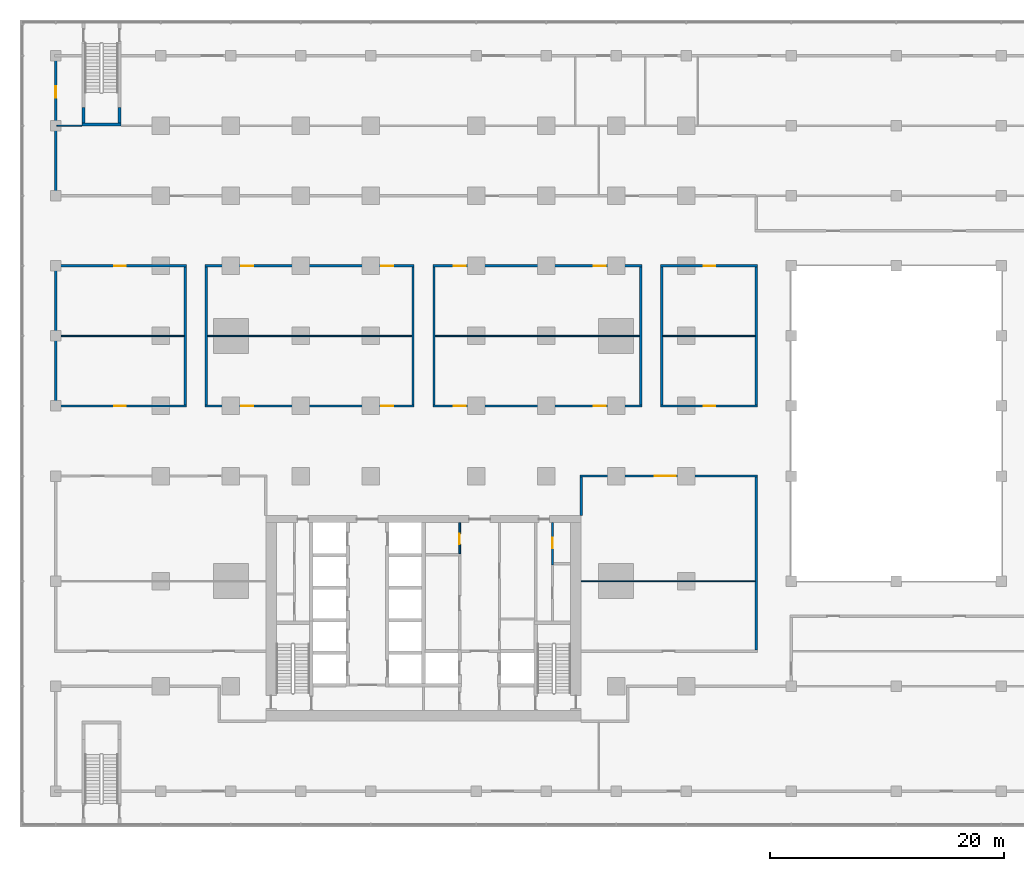
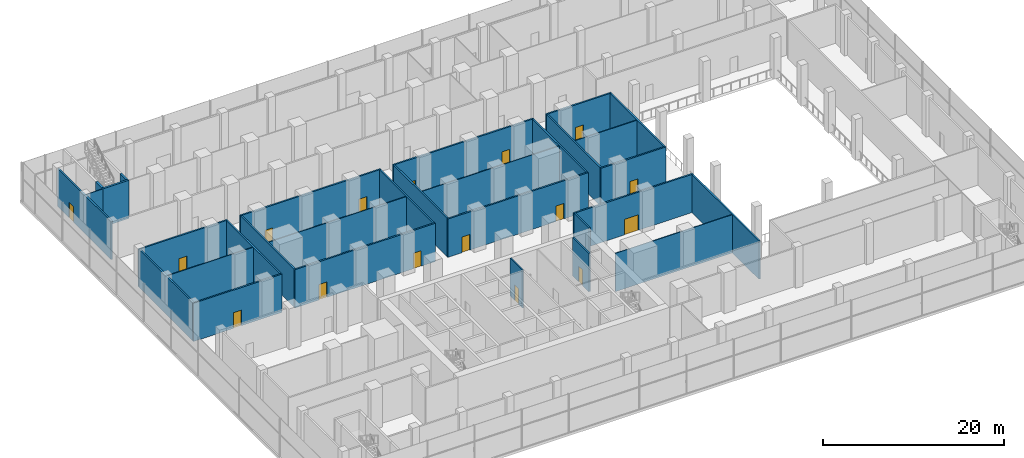
# One storey, part 15 of 22: 31 walls, 16 doors, 16 openings.
"""IFC4 building model written with IfcOpenShell, lengths in metres."""

from ifc_helpers import new_model, si_unit, direction, frame, frame_2d, origin, place, context, subcontext, project, spatial, rectangle, extrude, material, layer, layer_set, type_object, element, fill, save


model = new_model("IFC4")

# Units and contexts
model_context = context("Model", 3, precision=1e-05, world=origin(), true_north=direction((0.0, 1.0)))
body_context = subcontext(model_context, "Body", "Model", "MODEL_VIEW")
ifc_project = project(units=[si_unit("LENGTHUNIT", "METRE"), si_unit("AREAUNIT", "SQUARE_METRE"), si_unit("VOLUMEUNIT", "CUBIC_METRE"), si_unit("PLANEANGLEUNIT", "RADIAN"), si_unit("MASSUNIT", "GRAM", prefix="KILO")], contexts=[model_context])

# Site, building, storey
site_placement = place(None, origin())
site = spatial("IfcSite", under=ifc_project, at=site_placement, CompositionType="ELEMENT")
building_placement = place(site_placement, origin())
building = spatial("IfcBuilding", under=site, at=building_placement, Name="Finial Court Residences", CompositionType="ELEMENT")
storey_placement = place(building_placement, frame((0.0, 0.0, 8.0)))
storey = spatial("IfcBuildingStorey", under=building, at=storey_placement, Name="L01", CompositionType="ELEMENT", Elevation=8.0)

# Wall, opening, door
ifc_material_1 = material(Name="Fire-rated gypsum board partition")
ifc_layer_1 = layer(ifc_material_1, 0.14990234375)
ifc_layer_set_1 = layer_set([ifc_layer_1], Name="Core room partition 150 EI 60")
wall_type_1 = type_object("IfcWallType", Name="Core room partition 150 EI 60", PredefinedType="PARTITIONING", material=ifc_layer_set_1)
wall_1_placement = place(storey_placement, frame((3.10009765625, -11.14990234375, 0.0), z_axis=(0.0, 0.0, 1.0), x_axis=(0.0, 1.0, 0.0)))
wall_1 = element("IfcWall", 1, at=wall_1_placement, inside=storey, type_object=wall_type_1, Name="Core partition L01-33", PredefinedType="PARTITIONING", context=body_context, shape_type="SweptSolid", body=[
    extrude(rectangle(XDim=2.64990234375, YDim=0.14990234375, at=frame_2d((1.324951171875, 0.0))), origin(), (0.0, 0.0, 1.0), 5.14990234375),
])
opening_1_placement = place(wall_1_placement, frame((0.824951171875, 0.0, 0.0)))
opening_1 = element("IfcOpeningElement", 2, at=opening_1_placement, cuts=wall_1, Name="Opening L01-C14", PredefinedType="OPENING", context=body_context, shape_type="SweptSolid", body=[
    extrude(rectangle(XDim=0.89990234375, YDim=2.10009765625, at=frame_2d((0.449951171875, 1.050048828125))), frame((0.0, 0.0849609375, 0.0), z_axis=(0.0, -1.0, 0.0), x_axis=(1.0, 0.0, 0.0)), (0.0, 0.0, 1.0), 0.169921875),
])
ifc_material_2 = material(Name="Steel fire door", Category="steel")
door_type_1 = type_object("IfcDoorType", Name="Core room door 900 x 2100 EI 60", OperationType="NOTDEFINED", PredefinedType="DOOR", material=ifc_material_2)
door_1_placement = place(opening_1_placement, origin())
door_1 = element("IfcDoor", 3, at=door_1_placement, inside=storey, type_object=door_type_1, Name="Core room door L01-C14", OperationType="SINGLE_SWING_LEFT", OverallHeight=2.10009765625, OverallWidth=0.89990234375, PredefinedType="DOOR", context=body_context, shape_type="SweptSolid", body=[
    extrude(rectangle(XDim=0.89990234375, YDim=2.10009765625, at=frame_2d((0.449951171875, 1.050048828125))), frame((0.0, 0.02490234375, 0.0), z_axis=(0.0, -1.0, 0.0), x_axis=(1.0, 0.0, 0.0)), (0.0, 0.0, 1.0), 0.050048828125),
])
fill(opening_1, door_1)

ifc_material_3 = material(Name="Gypsum board")
ifc_layer_2 = layer(ifc_material_3, 0.02490234375)
ifc_material_4 = material(Name="Acoustic mineral wool in double frame")
ifc_layer_3 = layer(ifc_material_4, 0.14990234375)
ifc_layer_4 = layer(ifc_material_3, 0.02490234375)
ifc_layer_set_2 = layer_set([ifc_layer_2, ifc_layer_3, ifc_layer_4], Name="Corridor wall 200, 1 hour")
wall_type_2 = type_object("IfcWallType", Name="Corridor wall 200, 1 hour", PredefinedType="PARTITIONING", material=ifc_layer_set_2)
wall_2_placement = place(storey_placement, frame((13.39990234375, -4.5, 0.0), z_axis=(0.0, 0.0, 1.0), x_axis=(1.0, 0.0, 0.0)))
wall_2 = element("IfcWall", 4, at=wall_2_placement, inside=storey, type_object=wall_type_2, Name="Partition L01-016", PredefinedType="PARTITIONING", context=body_context, shape_type="SweptSolid", body=[
    extrude(rectangle(XDim=15.2001953125, YDim=0.199951171875, at=frame_2d((7.60009765625, 0.0))), origin(), (0.0, 0.0, 1.0), 5.14990234375),
])
opening_2_placement = place(wall_2_placement, frame((6.39990234375, 0.0, 0.0)))
opening_2 = element("IfcOpeningElement", 5, at=opening_2_placement, cuts=wall_2, Name="Opening L01-D012", PredefinedType="OPENING", context=body_context, shape_type="SweptSolid", body=[
    extrude(rectangle(XDim=1.800048828125, YDim=2.10009765625, at=frame_2d((0.89990234375, 1.050048828125))), frame((0.0, 0.10986328125, 0.0), z_axis=(0.0, -1.0, 0.0), x_axis=(1.0, 0.0, 0.0)), (0.0, 0.0, 1.0), 0.219970703125),
])
ifc_material_5 = material(Name="Timber door leaf in hollow metal frame", Category="wood")
door_type_2 = type_object("IfcDoorType", Name="Fire door set 1800 x 2100, 30 minutes", OperationType="DOUBLE_DOOR_SINGLE_SWING", PredefinedType="DOOR", material=ifc_material_5)
door_2_placement = place(opening_2_placement, origin())
door_2 = element("IfcDoor", 6, at=door_2_placement, inside=storey, type_object=door_type_2, Name="Door L01-D012", OperationType="DOUBLE_DOOR_SINGLE_SWING", OverallHeight=2.10009765625, OverallWidth=1.800048828125, PredefinedType="DOOR", context=body_context, shape_type="SweptSolid", body=[
    extrude(rectangle(XDim=1.800048828125, YDim=2.10009765625, at=frame_2d((0.89990234375, 1.050048828125))), frame((0.0, 0.02490234375, 0.0), z_axis=(0.0, -1.0, 0.0), x_axis=(1.0, 0.0, 0.0)), (0.0, 0.0, 1.0), 0.050048828125),
])
fill(opening_2, door_2)

wall_3_placement = place(storey_placement, frame((-31.60009765625, 1.5, 0.0), z_axis=(0.0, 0.0, 1.0), x_axis=(1.0, 0.0, 0.0)))
wall_3 = element("IfcWall", 7, at=wall_3_placement, inside=storey, type_object=wall_type_2, Name="Partition L01-018", PredefinedType="PARTITIONING", context=body_context, shape_type="SweptSolid", body=[
    extrude(rectangle(XDim=11.300048828125, YDim=0.199951171875, at=frame_2d((5.64990234375, 0.0))), origin(), (0.0, 0.0, 1.0), 5.14990234375),
])
opening_3_placement = place(wall_3_placement, frame((5.10009765625, 0.0, 0.0)))
opening_3 = element("IfcOpeningElement", 8, at=opening_3_placement, cuts=wall_3, Name="Opening L01-D013", PredefinedType="OPENING", context=body_context, shape_type="SweptSolid", body=[
    extrude(rectangle(XDim=1.0, YDim=2.10009765625, at=frame_2d((0.5, 1.050048828125))), frame((0.0, 0.10986328125, 0.0), z_axis=(0.0, -1.0, 0.0), x_axis=(1.0, 0.0, 0.0)), (0.0, 0.0, 1.0), 0.219970703125),
])
door_type_3 = type_object("IfcDoorType", Name="Fire door set 1000 x 2100, 30 minutes", OperationType="SINGLE_SWING_LEFT", PredefinedType="DOOR", material=ifc_material_5)
door_3_placement = place(opening_3_placement, origin())
door_3 = element("IfcDoor", 9, at=door_3_placement, inside=storey, type_object=door_type_3, Name="Door L01-D013", OperationType="SINGLE_SWING_RIGHT", OverallHeight=2.10009765625, OverallWidth=1.0, PredefinedType="DOOR", context=body_context, shape_type="SweptSolid", body=[
    extrude(rectangle(XDim=1.0, YDim=2.10009765625, at=frame_2d((0.5, 1.050048828125))), frame((0.0, 0.02490234375, 0.0), z_axis=(0.0, -1.0, 0.0), x_axis=(1.0, 0.0, 0.0)), (0.0, 0.0, 1.0), 0.050048828125),
])
fill(opening_3, door_3)

# Wall, openings, doors
wall_4_placement = place(storey_placement, frame((-18.699951171875, 1.5, 0.0), z_axis=(0.0, 0.0, 1.0), x_axis=(1.0, 0.0, 0.0)))
wall_4 = element("IfcWall", 10, at=wall_4_placement, inside=storey, type_object=wall_type_2, Name="Partition L01-019", PredefinedType="PARTITIONING", context=body_context, shape_type="SweptSolid", body=[
    extrude(rectangle(XDim=17.89990234375, YDim=0.199951171875, at=frame_2d((8.949951171875, 0.0))), origin(), (0.0, 0.0, 1.0), 5.14990234375),
])
opening_4_placement = place(wall_4_placement, frame((3.10009765625, 0.0, 0.0)))
opening_4 = element("IfcOpeningElement", 11, at=opening_4_placement, cuts=wall_4, Name="Opening L01-D014", PredefinedType="OPENING", context=body_context, shape_type="SweptSolid", body=[
    extrude(rectangle(XDim=1.0, YDim=2.10009765625, at=frame_2d((0.5, 1.050048828125))), frame((0.0, 0.10986328125, 0.0), z_axis=(0.0, -1.0, 0.0), x_axis=(1.0, 0.0, 0.0)), (0.0, 0.0, 1.0), 0.219970703125),
])
opening_5_placement = place(wall_4_placement, frame((15.10009765625, 0.0, 0.0)))
opening_5 = element("IfcOpeningElement", 12, at=opening_5_placement, cuts=wall_4, Name="Opening L01-D015", PredefinedType="OPENING", context=body_context, shape_type="SweptSolid", body=[
    extrude(rectangle(XDim=1.0, YDim=2.10009765625, at=frame_2d((0.5, 1.050048828125))), frame((0.0, 0.10986328125, 0.0), z_axis=(0.0, -1.0, 0.0), x_axis=(1.0, 0.0, 0.0)), (0.0, 0.0, 1.0), 0.219970703125),
])
door_4_placement = place(opening_4_placement, origin())
door_4 = element("IfcDoor", 13, at=door_4_placement, inside=storey, type_object=door_type_3, Name="Door L01-D014", OperationType="SINGLE_SWING_RIGHT", OverallHeight=2.10009765625, OverallWidth=1.0, PredefinedType="DOOR", context=body_context, shape_type="SweptSolid", body=[
    extrude(rectangle(XDim=1.0, YDim=2.10009765625, at=frame_2d((0.5, 1.050048828125))), frame((0.0, 0.02490234375, 0.0), z_axis=(0.0, -1.0, 0.0), x_axis=(1.0, 0.0, 0.0)), (0.0, 0.0, 1.0), 0.050048828125),
])
fill(opening_4, door_4)
door_5_placement = place(opening_5_placement, origin())
door_5 = element("IfcDoor", 14, at=door_5_placement, inside=storey, type_object=door_type_3, Name="Door L01-D015", OperationType="SINGLE_SWING_LEFT", OverallHeight=2.10009765625, OverallWidth=1.0, PredefinedType="DOOR", context=body_context, shape_type="SweptSolid", body=[
    extrude(rectangle(XDim=1.0, YDim=2.10009765625, at=frame_2d((0.5, 1.050048828125))), frame((0.0, 0.02490234375, 0.0), z_axis=(0.0, -1.0, 0.0), x_axis=(1.0, 0.0, 0.0)), (0.0, 0.0, 1.0), 0.050048828125),
])
fill(opening_5, door_5)

wall_5_placement = place(storey_placement, frame((0.800048828125, 1.5, 0.0), z_axis=(0.0, 0.0, 1.0), x_axis=(1.0, 0.0, 0.0)))
wall_5 = element("IfcWall", 15, at=wall_5_placement, inside=storey, type_object=wall_type_2, Name="Partition L01-020", PredefinedType="PARTITIONING", context=body_context, shape_type="SweptSolid", body=[
    extrude(rectangle(XDim=17.89990234375, YDim=0.199951171875, at=frame_2d((8.949951171875, 0.0))), origin(), (0.0, 0.0, 1.0), 5.14990234375),
])
opening_6_placement = place(wall_5_placement, frame((1.800048828125, 0.0, 0.0)))
opening_6 = element("IfcOpeningElement", 16, at=opening_6_placement, cuts=wall_5, Name="Opening L01-D016", PredefinedType="OPENING", context=body_context, shape_type="SweptSolid", body=[
    extrude(rectangle(XDim=1.0, YDim=2.10009765625, at=frame_2d((0.5, 1.050048828125))), frame((0.0, 0.10986328125, 0.0), z_axis=(0.0, -1.0, 0.0), x_axis=(1.0, 0.0, 0.0)), (0.0, 0.0, 1.0), 0.219970703125),
])
opening_7_placement = place(wall_5_placement, frame((13.800048828125, 0.0, 0.0)))
opening_7 = element("IfcOpeningElement", 17, at=opening_7_placement, cuts=wall_5, Name="Opening L01-D017", PredefinedType="OPENING", context=body_context, shape_type="SweptSolid", body=[
    extrude(rectangle(XDim=1.0, YDim=2.10009765625, at=frame_2d((0.5, 1.050048828125))), frame((0.0, 0.10986328125, 0.0), z_axis=(0.0, -1.0, 0.0), x_axis=(1.0, 0.0, 0.0)), (0.0, 0.0, 1.0), 0.219970703125),
])
door_6_placement = place(opening_6_placement, origin())
door_6 = element("IfcDoor", 18, at=door_6_placement, inside=storey, type_object=door_type_3, Name="Door L01-D016", OperationType="SINGLE_SWING_RIGHT", OverallHeight=2.10009765625, OverallWidth=1.0, PredefinedType="DOOR", context=body_context, shape_type="SweptSolid", body=[
    extrude(rectangle(XDim=1.0, YDim=2.10009765625, at=frame_2d((0.5, 1.050048828125))), frame((0.0, 0.02490234375, 0.0), z_axis=(0.0, -1.0, 0.0), x_axis=(1.0, 0.0, 0.0)), (0.0, 0.0, 1.0), 0.050048828125),
])
fill(opening_6, door_6)
door_7_placement = place(opening_7_placement, origin())
door_7 = element("IfcDoor", 19, at=door_7_placement, inside=storey, type_object=door_type_3, Name="Door L01-D017", OperationType="SINGLE_SWING_LEFT", OverallHeight=2.10009765625, OverallWidth=1.0, PredefinedType="DOOR", context=body_context, shape_type="SweptSolid", body=[
    extrude(rectangle(XDim=1.0, YDim=2.10009765625, at=frame_2d((0.5, 1.050048828125))), frame((0.0, 0.02490234375, 0.0), z_axis=(0.0, -1.0, 0.0), x_axis=(1.0, 0.0, 0.0)), (0.0, 0.0, 1.0), 0.050048828125),
])
fill(opening_7, door_7)

# Wall, opening, door
wall_6_placement = place(storey_placement, frame((20.300048828125, 1.5, 0.0), z_axis=(0.0, 0.0, 1.0), x_axis=(1.0, 0.0, 0.0)))
wall_6 = element("IfcWall", 20, at=wall_6_placement, inside=storey, type_object=wall_type_2, Name="Partition L01-021", PredefinedType="PARTITIONING", context=body_context, shape_type="SweptSolid", body=[
    extrude(rectangle(XDim=8.300048828125, YDim=0.199951171875, at=frame_2d((4.14990234375, 0.0))), origin(), (0.0, 0.0, 1.0), 5.14990234375),
])
opening_8_placement = place(wall_6_placement, frame((3.699951171875, 0.0, 0.0)))
opening_8 = element("IfcOpeningElement", 21, at=opening_8_placement, cuts=wall_6, Name="Opening L01-D018", PredefinedType="OPENING", context=body_context, shape_type="SweptSolid", body=[
    extrude(rectangle(XDim=1.0, YDim=2.10009765625, at=frame_2d((0.5, 1.050048828125))), frame((0.0, 0.10986328125, 0.0), z_axis=(0.0, -1.0, 0.0), x_axis=(1.0, 0.0, 0.0)), (0.0, 0.0, 1.0), 0.219970703125),
])
door_8_placement = place(opening_8_placement, origin())
door_8 = element("IfcDoor", 22, at=door_8_placement, inside=storey, type_object=door_type_3, Name="Door L01-D018", OperationType="SINGLE_SWING_RIGHT", OverallHeight=2.10009765625, OverallWidth=1.0, PredefinedType="DOOR", context=body_context, shape_type="SweptSolid", body=[
    extrude(rectangle(XDim=1.0, YDim=2.10009765625, at=frame_2d((0.5, 1.050048828125))), frame((0.0, 0.02490234375, 0.0), z_axis=(0.0, -1.0, 0.0), x_axis=(1.0, 0.0, 0.0)), (0.0, 0.0, 1.0), 0.050048828125),
])
fill(opening_8, door_8)

wall_7_placement = place(storey_placement, frame((-31.60009765625, 13.5, 0.0), z_axis=(0.0, 0.0, 1.0), x_axis=(1.0, 0.0, 0.0)))
wall_7 = element("IfcWall", 23, at=wall_7_placement, inside=storey, type_object=wall_type_2, Name="Partition L01-026", PredefinedType="PARTITIONING", context=body_context, shape_type="SweptSolid", body=[
    extrude(rectangle(XDim=11.300048828125, YDim=0.199951171875, at=frame_2d((5.64990234375, 0.0))), origin(), (0.0, 0.0, 1.0), 5.14990234375),
])
opening_9_placement = place(wall_7_placement, frame((5.10009765625, 0.0, 0.0)))
opening_9 = element("IfcOpeningElement", 24, at=opening_9_placement, cuts=wall_7, Name="Opening L01-D019", PredefinedType="OPENING", context=body_context, shape_type="SweptSolid", body=[
    extrude(rectangle(XDim=1.0, YDim=2.10009765625, at=frame_2d((0.5, 1.050048828125))), frame((0.0, 0.10986328125, 0.0), z_axis=(0.0, -1.0, 0.0), x_axis=(1.0, 0.0, 0.0)), (0.0, 0.0, 1.0), 0.219970703125),
])
door_9_placement = place(opening_9_placement, origin())
door_9 = element("IfcDoor", 25, at=door_9_placement, inside=storey, type_object=door_type_3, Name="Door L01-D019", OperationType="SINGLE_SWING_RIGHT", OverallHeight=2.10009765625, OverallWidth=1.0, PredefinedType="DOOR", context=body_context, shape_type="SweptSolid", body=[
    extrude(rectangle(XDim=1.0, YDim=2.10009765625, at=frame_2d((0.5, 1.050048828125))), frame((0.0, 0.02490234375, 0.0), z_axis=(0.0, -1.0, 0.0), x_axis=(1.0, 0.0, 0.0)), (0.0, 0.0, 1.0), 0.050048828125),
])
fill(opening_9, door_9)

# Wall, openings, doors
wall_8_placement = place(storey_placement, frame((-18.699951171875, 13.5, 0.0), z_axis=(0.0, 0.0, 1.0), x_axis=(1.0, 0.0, 0.0)))
wall_8 = element("IfcWall", 26, at=wall_8_placement, inside=storey, type_object=wall_type_2, Name="Partition L01-027", PredefinedType="PARTITIONING", context=body_context, shape_type="SweptSolid", body=[
    extrude(rectangle(XDim=17.89990234375, YDim=0.199951171875, at=frame_2d((8.949951171875, 0.0))), origin(), (0.0, 0.0, 1.0), 5.14990234375),
])
opening_10_placement = place(wall_8_placement, frame((3.10009765625, 0.0, 0.0)))
opening_10 = element("IfcOpeningElement", 27, at=opening_10_placement, cuts=wall_8, Name="Opening L01-D020", PredefinedType="OPENING", context=body_context, shape_type="SweptSolid", body=[
    extrude(rectangle(XDim=1.0, YDim=2.10009765625, at=frame_2d((0.5, 1.050048828125))), frame((0.0, 0.10986328125, 0.0), z_axis=(0.0, -1.0, 0.0), x_axis=(1.0, 0.0, 0.0)), (0.0, 0.0, 1.0), 0.219970703125),
])
opening_11_placement = place(wall_8_placement, frame((15.10009765625, 0.0, 0.0)))
opening_11 = element("IfcOpeningElement", 28, at=opening_11_placement, cuts=wall_8, Name="Opening L01-D021", PredefinedType="OPENING", context=body_context, shape_type="SweptSolid", body=[
    extrude(rectangle(XDim=1.0, YDim=2.10009765625, at=frame_2d((0.5, 1.050048828125))), frame((0.0, 0.10986328125, 0.0), z_axis=(0.0, -1.0, 0.0), x_axis=(1.0, 0.0, 0.0)), (0.0, 0.0, 1.0), 0.219970703125),
])
door_10_placement = place(opening_10_placement, origin())
door_10 = element("IfcDoor", 29, at=door_10_placement, inside=storey, type_object=door_type_3, Name="Door L01-D020", OperationType="SINGLE_SWING_LEFT", OverallHeight=2.10009765625, OverallWidth=1.0, PredefinedType="DOOR", context=body_context, shape_type="SweptSolid", body=[
    extrude(rectangle(XDim=1.0, YDim=2.10009765625, at=frame_2d((0.5, 1.050048828125))), frame((0.0, 0.02490234375, 0.0), z_axis=(0.0, -1.0, 0.0), x_axis=(1.0, 0.0, 0.0)), (0.0, 0.0, 1.0), 0.050048828125),
])
fill(opening_10, door_10)
door_11_placement = place(opening_11_placement, origin())
door_11 = element("IfcDoor", 30, at=door_11_placement, inside=storey, type_object=door_type_3, Name="Door L01-D021", OperationType="SINGLE_SWING_RIGHT", OverallHeight=2.10009765625, OverallWidth=1.0, PredefinedType="DOOR", context=body_context, shape_type="SweptSolid", body=[
    extrude(rectangle(XDim=1.0, YDim=2.10009765625, at=frame_2d((0.5, 1.050048828125))), frame((0.0, 0.02490234375, 0.0), z_axis=(0.0, -1.0, 0.0), x_axis=(1.0, 0.0, 0.0)), (0.0, 0.0, 1.0), 0.050048828125),
])
fill(opening_11, door_11)

wall_9_placement = place(storey_placement, frame((0.800048828125, 13.5, 0.0), z_axis=(0.0, 0.0, 1.0), x_axis=(1.0, 0.0, 0.0)))
wall_9 = element("IfcWall", 31, at=wall_9_placement, inside=storey, type_object=wall_type_2, Name="Partition L01-028", PredefinedType="PARTITIONING", context=body_context, shape_type="SweptSolid", body=[
    extrude(rectangle(XDim=17.89990234375, YDim=0.199951171875, at=frame_2d((8.949951171875, 0.0))), origin(), (0.0, 0.0, 1.0), 5.14990234375),
])
opening_12_placement = place(wall_9_placement, frame((1.800048828125, 0.0, 0.0)))
opening_12 = element("IfcOpeningElement", 32, at=opening_12_placement, cuts=wall_9, Name="Opening L01-D022", PredefinedType="OPENING", context=body_context, shape_type="SweptSolid", body=[
    extrude(rectangle(XDim=1.0, YDim=2.10009765625, at=frame_2d((0.5, 1.050048828125))), frame((0.0, 0.10986328125, 0.0), z_axis=(0.0, -1.0, 0.0), x_axis=(1.0, 0.0, 0.0)), (0.0, 0.0, 1.0), 0.219970703125),
])
opening_13_placement = place(wall_9_placement, frame((13.800048828125, 0.0, 0.0)))
opening_13 = element("IfcOpeningElement", 33, at=opening_13_placement, cuts=wall_9, Name="Opening L01-D023", PredefinedType="OPENING", context=body_context, shape_type="SweptSolid", body=[
    extrude(rectangle(XDim=1.0, YDim=2.10009765625, at=frame_2d((0.5, 1.050048828125))), frame((0.0, 0.10986328125, 0.0), z_axis=(0.0, -1.0, 0.0), x_axis=(1.0, 0.0, 0.0)), (0.0, 0.0, 1.0), 0.219970703125),
])
door_12_placement = place(opening_12_placement, origin())
door_12 = element("IfcDoor", 34, at=door_12_placement, inside=storey, type_object=door_type_3, Name="Door L01-D022", OperationType="SINGLE_SWING_LEFT", OverallHeight=2.10009765625, OverallWidth=1.0, PredefinedType="DOOR", context=body_context, shape_type="SweptSolid", body=[
    extrude(rectangle(XDim=1.0, YDim=2.10009765625, at=frame_2d((0.5, 1.050048828125))), frame((0.0, 0.02490234375, 0.0), z_axis=(0.0, -1.0, 0.0), x_axis=(1.0, 0.0, 0.0)), (0.0, 0.0, 1.0), 0.050048828125),
])
fill(opening_12, door_12)
door_13_placement = place(opening_13_placement, origin())
door_13 = element("IfcDoor", 35, at=door_13_placement, inside=storey, type_object=door_type_3, Name="Door L01-D023", OperationType="SINGLE_SWING_RIGHT", OverallHeight=2.10009765625, OverallWidth=1.0, PredefinedType="DOOR", context=body_context, shape_type="SweptSolid", body=[
    extrude(rectangle(XDim=1.0, YDim=2.10009765625, at=frame_2d((0.5, 1.050048828125))), frame((0.0, 0.02490234375, 0.0), z_axis=(0.0, -1.0, 0.0), x_axis=(1.0, 0.0, 0.0)), (0.0, 0.0, 1.0), 0.050048828125),
])
fill(opening_13, door_13)

# Wall, opening, door
wall_10_placement = place(storey_placement, frame((20.300048828125, 13.5, 0.0), z_axis=(0.0, 0.0, 1.0), x_axis=(1.0, 0.0, 0.0)))
wall_10 = element("IfcWall", 36, at=wall_10_placement, inside=storey, type_object=wall_type_2, Name="Partition L01-029", PredefinedType="PARTITIONING", context=body_context, shape_type="SweptSolid", body=[
    extrude(rectangle(XDim=8.300048828125, YDim=0.199951171875, at=frame_2d((4.14990234375, 0.0))), origin(), (0.0, 0.0, 1.0), 5.14990234375),
])
opening_14_placement = place(wall_10_placement, frame((3.699951171875, 0.0, 0.0)))
opening_14 = element("IfcOpeningElement", 37, at=opening_14_placement, cuts=wall_10, Name="Opening L01-D024", PredefinedType="OPENING", context=body_context, shape_type="SweptSolid", body=[
    extrude(rectangle(XDim=1.0, YDim=2.10009765625, at=frame_2d((0.5, 1.050048828125))), frame((0.0, 0.10986328125, 0.0), z_axis=(0.0, -1.0, 0.0), x_axis=(1.0, 0.0, 0.0)), (0.0, 0.0, 1.0), 0.219970703125),
])
door_14_placement = place(opening_14_placement, origin())
door_14 = element("IfcDoor", 38, at=door_14_placement, inside=storey, type_object=door_type_3, Name="Door L01-D024", OperationType="SINGLE_SWING_RIGHT", OverallHeight=2.10009765625, OverallWidth=1.0, PredefinedType="DOOR", context=body_context, shape_type="SweptSolid", body=[
    extrude(rectangle(XDim=1.0, YDim=2.10009765625, at=frame_2d((0.5, 1.050048828125))), frame((0.0, 0.02490234375, 0.0), z_axis=(0.0, -1.0, 0.0), x_axis=(1.0, 0.0, 0.0)), (0.0, 0.0, 1.0), 0.050048828125),
])
fill(opening_14, door_14)

# Wall
wall_11_placement = place(storey_placement, frame((-31.5, 1.60009765625, 0.0), z_axis=(0.0, 0.0, 1.0), x_axis=(0.0, 1.0, 0.0)))
element("IfcWall", 39, at=wall_11_placement, inside=storey, type_object=wall_type_2, Name="Partition L01-042", PredefinedType="PARTITIONING", context=body_context, shape_type="SweptSolid", body=[
    extrude(rectangle(XDim=11.7998046875, YDim=0.199951171875, at=frame_2d((5.89990234375, 0.0))), origin(), (0.0, 0.0, 1.0), 5.14990234375),
])

# Wall, opening, door
wall_12_placement = place(storey_placement, frame((-31.5, 19.60009765625, 0.0), z_axis=(0.0, 0.0, 1.0), x_axis=(0.0, 1.0, 0.0)))
wall_12 = element("IfcWall", 40, at=wall_12_placement, inside=storey, type_object=wall_type_2, Name="Partition L01-043", PredefinedType="PARTITIONING", context=body_context, shape_type="SweptSolid", body=[
    extrude(rectangle(XDim=11.7998046875, YDim=0.199951171875, at=frame_2d((5.89990234375, 0.0))), origin(), (0.0, 0.0, 1.0), 5.14990234375),
])
opening_15_placement = place(wall_12_placement, frame((8.300048828125, 0.0, 0.0)))
opening_15 = element("IfcOpeningElement", 41, at=opening_15_placement, cuts=wall_12, Name="Opening L01-D037", PredefinedType="OPENING", context=body_context, shape_type="SweptSolid", body=[
    extrude(rectangle(XDim=1.0, YDim=2.10009765625, at=frame_2d((0.5, 1.050048828125))), frame((0.0, 0.10986328125, 0.0), z_axis=(0.0, -1.0, 0.0), x_axis=(1.0, 0.0, 0.0)), (0.0, 0.0, 1.0), 0.219970703125),
])
door_15_placement = place(opening_15_placement, origin())
door_15 = element("IfcDoor", 42, at=door_15_placement, inside=storey, type_object=door_type_3, Name="Door L01-D037", OperationType="SINGLE_SWING_RIGHT", OverallHeight=2.10009765625, OverallWidth=1.0, PredefinedType="DOOR", context=body_context, shape_type="SweptSolid", body=[
    extrude(rectangle(XDim=1.0, YDim=2.10009765625, at=frame_2d((0.5, 1.050048828125))), frame((0.0, 0.02490234375, 0.0), z_axis=(0.0, -1.0, 0.0), x_axis=(1.0, 0.0, 0.0)), (0.0, 0.0, 1.0), 0.050048828125),
])
fill(opening_15, door_15)

# Walls
for number, where, z_axis, x_axis, name in (
    (43, (-20.39990234375, 1.60009765625, 0.0), (0.0, 0.0, 1.0), (0.0, 1.0, 0.0), "Partition L01-044"),
    (44, (-18.60009765625, 1.60009765625, 0.0), (0.0, 0.0, 1.0), (0.0, 1.0, 0.0), "Partition L01-045"),
    (45, (-0.89990234375, 1.60009765625, 0.0), (0.0, 0.0, 1.0), (0.0, 1.0, 0.0), "Partition L01-048"),
    (46, (0.89990234375, 1.60009765625, 0.0), (0.0, 0.0, 1.0), (0.0, 1.0, 0.0), "Partition L01-049"),
):
    element("IfcWall", number, at=place(storey_placement, frame(where, z_axis=z_axis, x_axis=x_axis)), inside=storey, type_object=wall_type_2, Name=name, PredefinedType="PARTITIONING", context=body_context, shape_type="SweptSolid", body=[
        extrude(rectangle(XDim=11.7998046875, YDim=0.199951171875, at=frame_2d((5.89990234375, 0.0))), origin(), (0.0, 0.0, 1.0), 5.14990234375),
    ])
wall_13_placement = place(storey_placement, frame((13.5, -7.89990234375, 0.0), z_axis=(0.0, 0.0, 1.0), x_axis=(0.0, 1.0, 0.0)))
element("IfcWall", 47, at=wall_13_placement, inside=storey, type_object=wall_type_2, Name="Partition L01-051", PredefinedType="PARTITIONING", context=body_context, shape_type="SweptSolid", body=[
    extrude(rectangle(XDim=3.2998046875, YDim=0.199951171875, at=frame_2d((1.64990234375, 0.0))), origin(), (0.0, 0.0, 1.0), 5.14990234375),
])
for number, where, z_axis, x_axis, name in (
    (48, (18.60009765625, 1.60009765625, 0.0), (0.0, 0.0, 1.0), (0.0, 1.0, 0.0), "Partition L01-055"),
    (49, (20.39990234375, 1.60009765625, 0.0), (0.0, 0.0, 1.0), (0.0, 1.0, 0.0), "Partition L01-057"),
):
    element("IfcWall", number, at=place(storey_placement, frame(where, z_axis=z_axis, x_axis=x_axis)), inside=storey, type_object=wall_type_2, Name=name, PredefinedType="PARTITIONING", context=body_context, shape_type="SweptSolid", body=[
        extrude(rectangle(XDim=11.7998046875, YDim=0.199951171875, at=frame_2d((5.89990234375, 0.0))), origin(), (0.0, 0.0, 1.0), 5.14990234375),
    ])
wall_14_placement = place(storey_placement, frame((28.5, -19.39990234375, 0.0), z_axis=(0.0, 0.0, 1.0), x_axis=(0.0, 1.0, 0.0)))
element("IfcWall", 50, at=wall_14_placement, inside=storey, type_object=wall_type_2, Name="Partition L01-059", PredefinedType="PARTITIONING", context=body_context, shape_type="SweptSolid", body=[
    extrude(rectangle(XDim=14.7998046875, YDim=0.199951171875, at=frame_2d((7.39990234375, 0.0))), origin(), (0.0, 0.0, 1.0), 5.14990234375),
])
wall_15_placement = place(storey_placement, frame((28.5, 1.60009765625, 0.0), z_axis=(0.0, 0.0, 1.0), x_axis=(0.0, 1.0, 0.0)))
element("IfcWall", 51, at=wall_15_placement, inside=storey, type_object=wall_type_2, Name="Partition L01-060", PredefinedType="PARTITIONING", context=body_context, shape_type="SweptSolid", body=[
    extrude(rectangle(XDim=11.7998046875, YDim=0.199951171875, at=frame_2d((5.89990234375, 0.0))), origin(), (0.0, 0.0, 1.0), 5.14990234375),
])
ifc_layer_5 = layer(ifc_material_3, 0.012451171875)
ifc_material_6 = material(Name="Mineral wool in light-gauge frame")
ifc_layer_6 = layer(ifc_material_6, 0.074951171875)
ifc_layer_7 = layer(ifc_material_3, 0.012451171875)
ifc_layer_set_3 = layer_set([ifc_layer_5, ifc_layer_6, ifc_layer_7], Name="Gypsum board partition 100")
wall_type_3 = type_object("IfcWallType", Name="Gypsum board partition 100", PredefinedType="PARTITIONING", material=ifc_layer_set_3)
wall_16_placement = place(storey_placement, frame((13.5, -13.5, 0.0), z_axis=(0.0, 0.0, 1.0), x_axis=(1.0, 0.0, 0.0)))
element("IfcWall", 52, at=wall_16_placement, inside=storey, type_object=wall_type_3, Name="Partition L01-014", PredefinedType="PARTITIONING", context=body_context, shape_type="SweptSolid", body=[
    extrude(rectangle(XDim=14.89990234375, YDim=0.10009765625, at=frame_2d((7.449951171875, 0.0))), origin(), (0.0, 0.0, 1.0), 5.14990234375),
])
wall_17_placement = place(storey_placement, frame((-31.39990234375, 7.5, 0.0), z_axis=(0.0, 0.0, 1.0), x_axis=(1.0, 0.0, 0.0)))
element("IfcWall", 53, at=wall_17_placement, inside=storey, type_object=wall_type_3, Name="Partition L01-022", PredefinedType="PARTITIONING", context=body_context, shape_type="SweptSolid", body=[
    extrude(rectangle(XDim=10.89990234375, YDim=0.10009765625, at=frame_2d((5.449951171875, 0.0))), origin(), (0.0, 0.0, 1.0), 5.14990234375),
])
for number, where, z_axis, x_axis, name in (
    (54, (-18.5, 7.5, 0.0), (0.0, 0.0, 1.0), (1.0, 0.0, 0.0), "Partition L01-023"),
    (55, (1.0, 7.5, 0.0), (0.0, 0.0, 1.0), (1.0, 0.0, 0.0), "Partition L01-024"),
):
    element("IfcWall", number, at=place(storey_placement, frame(where, z_axis=z_axis, x_axis=x_axis)), inside=storey, type_object=wall_type_3, Name=name, PredefinedType="PARTITIONING", context=body_context, shape_type="SweptSolid", body=[
        extrude(rectangle(XDim=17.5, YDim=0.10009765625, at=frame_2d((8.75, 0.0))), origin(), (0.0, 0.0, 1.0), 5.14990234375),
    ])
wall_18_placement = place(storey_placement, frame((20.5, 7.5, 0.0), z_axis=(0.0, 0.0, 1.0), x_axis=(1.0, 0.0, 0.0)))
element("IfcWall", 56, at=wall_18_placement, inside=storey, type_object=wall_type_3, Name="Partition L01-025", PredefinedType="PARTITIONING", context=body_context, shape_type="SweptSolid", body=[
    extrude(rectangle(XDim=7.89990234375, YDim=0.10009765625, at=frame_2d((3.949951171875, 0.0))), origin(), (0.0, 0.0, 1.0), 5.14990234375),
])
wall_19_placement = place(storey_placement, frame((-31.39990234375, 25.5, 0.0), z_axis=(0.0, 0.0, 1.0), x_axis=(1.0, 0.0, 0.0)))
element("IfcWall", 57, at=wall_19_placement, inside=storey, type_object=wall_type_3, Name="Partition L01-035", PredefinedType="PARTITIONING", context=body_context, shape_type="SweptSolid", body=[
    extrude(rectangle(XDim=2.14990234375, YDim=0.10009765625, at=frame_2d((1.074951171875, 0.0))), origin(), (0.0, 0.0, 1.0), 5.14990234375),
])

# Wall, opening, door
ifc_layer_8 = layer(ifc_material_1, 0.199951171875)
ifc_layer_set_4 = layer_set([ifc_layer_8], Name="Riser room wall 200 EI 120")
wall_type_4 = type_object("IfcWallType", Name="Riser room wall 200 EI 120", PredefinedType="PARTITIONING", material=ifc_layer_set_4)
wall_20_placement = place(storey_placement, frame((11.050048828125, -8.5, 0.0), z_axis=(0.0, 0.0, 1.0), x_axis=(0.0, -1.0, 0.0)))
wall_20 = element("IfcWall", 58, at=wall_20_placement, inside=storey, type_object=wall_type_4, Name="Core partition L01-40", PredefinedType="PARTITIONING", context=body_context, shape_type="SweptSolid", body=[
    extrude(rectangle(XDim=3.60009765625, YDim=0.199951171875, at=frame_2d((1.800048828125, 0.0))), origin(), (0.0, 0.0, 1.0), 5.14990234375),
])
opening_16_placement = place(wall_20_placement, frame((1.300048828125, 0.0, 0.0)))
opening_16 = element("IfcOpeningElement", 59, at=opening_16_placement, cuts=wall_20, Name="Opening L01-C08", PredefinedType="OPENING", context=body_context, shape_type="SweptSolid", body=[
    extrude(rectangle(XDim=0.89990234375, YDim=2.10009765625, at=frame_2d((0.449951171875, 1.050048828125))), frame((0.0, 0.10986328125, 0.0), z_axis=(0.0, -1.0, 0.0), x_axis=(1.0, 0.0, 0.0)), (0.0, 0.0, 1.0), 0.219970703125),
])
door_type_4 = type_object("IfcDoorType", Name="Riser room door 900 x 2100 EI 90", OperationType="NOTDEFINED", PredefinedType="DOOR", material=ifc_material_2)
door_16_placement = place(opening_16_placement, origin())
door_16 = element("IfcDoor", 60, at=door_16_placement, inside=storey, type_object=door_type_4, Name="Riser room door L01-C08", OperationType="SINGLE_SWING_RIGHT", OverallHeight=2.10009765625, OverallWidth=0.89990234375, PredefinedType="DOOR", context=body_context, shape_type="SweptSolid", body=[
    extrude(rectangle(XDim=0.89990234375, YDim=2.10009765625, at=frame_2d((0.449951171875, 1.050048828125))), frame((0.0, 0.02490234375, 0.0), z_axis=(0.0, -1.0, 0.0), x_axis=(1.0, 0.0, 0.0)), (0.0, 0.0, 1.0), 0.050048828125),
])
fill(opening_16, door_16)

# Walls
ifc_material_7 = material(Name="Concrete C50/60", Category="concrete")
ifc_layer_9 = layer(ifc_material_7, 0.25)
ifc_layer_set_5 = layer_set([ifc_layer_9], Name="Stair enclosure wall 250 Concrete C50/60")
wall_type_5 = type_object("IfcWallType", Name="Stair enclosure wall 250 Concrete C50/60", PredefinedType="SHEAR", material=ifc_layer_set_5)
for number, where, z_axis, x_axis, name in (
    (61, (-29.125, 25.719970703125, 0.0), (0.0, 0.0, 1.0), (0.0, 1.0, 0.0), "Exit Stair 6 enclosure wall L01-W3"),
    (62, (-26.02490234375, 25.719970703125, 0.0), (0.0, 0.0, 1.0), (0.0, 1.0, 0.0), "Exit Stair 6 enclosure wall L01-E3"),
):
    element("IfcWall", number, at=place(storey_placement, frame(where, z_axis=z_axis, x_axis=x_axis)), inside=storey, type_object=wall_type_5, Name=name, PredefinedType="SHEAR", context=body_context, shape_type="SweptSolid", body=[
        extrude(rectangle(XDim=1.35009765625, YDim=0.25, at=frame_2d((0.675048828125, 0.0))), origin(), (0.0, 0.0, 1.0), 5.14990234375),
    ])
wall_21_placement = place(storey_placement, frame((-29.25, 25.594970703125, 0.0), z_axis=(0.0, 0.0, 1.0), x_axis=(1.0, 0.0, 0.0)))
element("IfcWall", 63, at=wall_21_placement, inside=storey, type_object=wall_type_5, Name="Exit Stair 6 enclosure wall L01-N", PredefinedType="SHEAR", context=body_context, shape_type="SweptSolid", body=[
    extrude(rectangle(XDim=3.35009765625, YDim=0.25, at=frame_2d((1.675048828125, 0.0))), origin(), (0.0, 0.0, 1.0), 5.14990234375),
])

save(model, "model.ifc")
